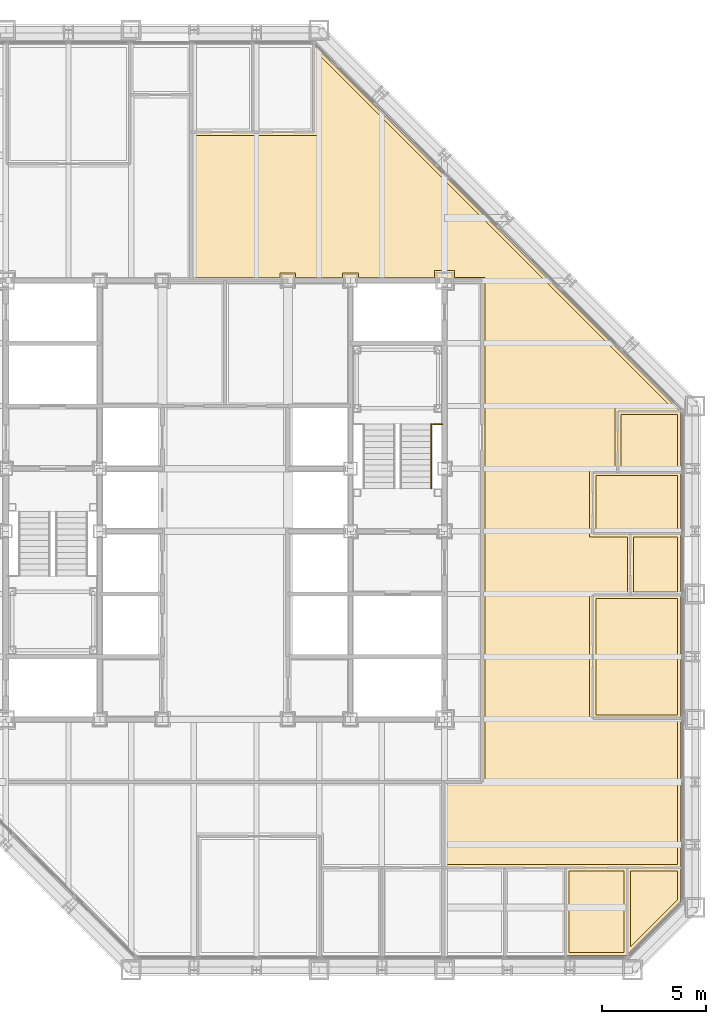
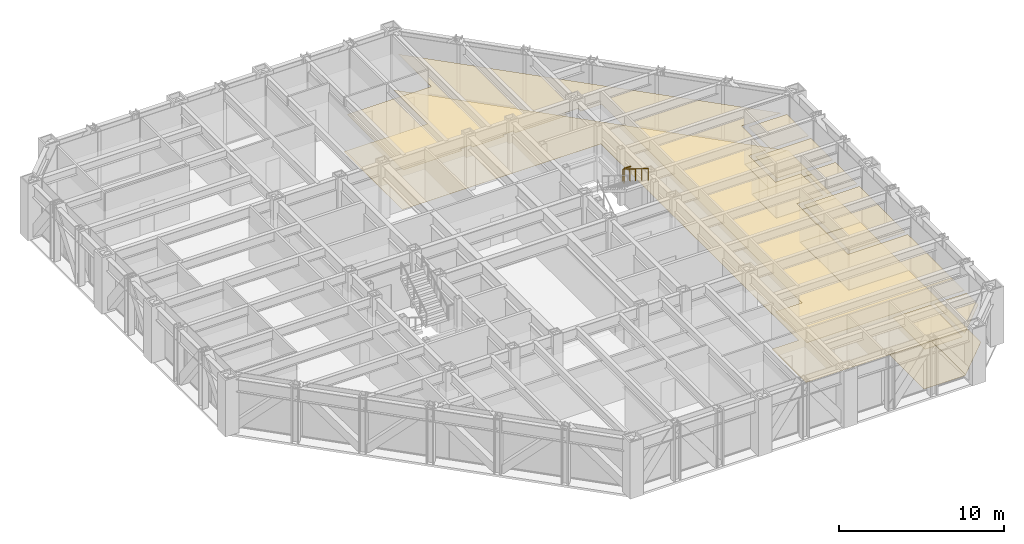
# One storey, part 15 of 16: 14 coverings, 2 railings.
"""IFC4 building model written with IfcOpenShell, lengths in metres."""

from ifc_helpers import new_model, si_unit, direction, frame, origin, origin_2d, place, context, subcontext, project, spatial, polyline, circle, outline, extrude, material, layer, layer_set, type_object, element, save


model = new_model("IFC4")

# Units and contexts
model_context = context("Model", 3, precision=1e-05, world=origin(), true_north=direction((0.0, 1.0)))
body_context = subcontext(model_context, "Body", "Model", "MODEL_VIEW")
ifc_project = project(units=[si_unit("LENGTHUNIT", "METRE"), si_unit("AREAUNIT", "SQUARE_METRE"), si_unit("VOLUMEUNIT", "CUBIC_METRE"), si_unit("PLANEANGLEUNIT", "RADIAN"), si_unit("MASSUNIT", "GRAM", prefix="KILO")], contexts=[model_context])

# Site, building, storey
site_placement = place(None, origin())
site = spatial("IfcSite", under=ifc_project, at=site_placement, CompositionType="ELEMENT")
building_placement = place(site_placement, origin())
building = spatial("IfcBuilding", under=site, at=building_placement, Name="Chuquiago Exchange Tower", CompositionType="ELEMENT")
storey_placement = place(building_placement, frame((0.0, 0.0, 157.199951171875)))
storey = spatial("IfcBuildingStorey", under=building, at=storey_placement, Name="L34", CompositionType="ELEMENT", Elevation=157.199951171875)

# Coverings
ifc_material_1 = material(Name="Mineral fibre tile, 600 x 600, on pale metal grid", Category="mineral fibre")
ifc_layer_1 = layer(ifc_material_1, 0.02001953125)
ifc_layer_set_1 = layer_set([ifc_layer_1], Name="CL1 suspended tile ceiling 20")
covering_type_1 = type_object("IfcCoveringType", Name="CL1 suspended tile ceiling 20", PredefinedType="CEILING", material=ifc_layer_set_1)
covering_1_placement = place(storey_placement, frame((0.0, 0.0, 2.800048828125)))
element("IfcCovering", 1, at=covering_1_placement, inside=storey, type_object=covering_type_1, Name="Ceiling Office", PredefinedType="CEILING", context=body_context, shape_type="SweptSolid", body=[
    extrude(outline(polyline([(38.963623046875, 0.85009765625), (38.963623046875, 4.75), (41.6015625, 4.75), (41.6015625, 0.85009765625), (38.963623046875, 0.85009765625)])), origin(), (0.0, 0.0, 1.0), 0.02001953125),
])
covering_2_placement = place(storey_placement, frame((0.0, 0.0, 2.800048828125)))
element("IfcCovering", 2, at=covering_2_placement, inside=storey, type_object=covering_type_1, Name="Ceiling Meeting room", PredefinedType="CEILING", context=body_context, shape_type="SweptSolid", body=[
    extrude(outline(polyline([(41.901611328125, 1.103515625), (41.901611328125, 4.75), (44.14990234375, 4.75), (44.14990234375, 3.35205078125), (41.901611328125, 1.103515625)])), origin(), (0.0, 0.0, 1.0), 0.02001953125),
])
covering_3_placement = place(storey_placement, frame((0.0, 0.0, 2.800048828125)))
element("IfcCovering", 3, at=covering_3_placement, inside=storey, type_object=covering_type_1, Name="Ceiling Meeting room", PredefinedType="CEILING", context=body_context, shape_type="SweptSolid", body=[
    extrude(outline(polyline([(40.25, 12.212158203125), (40.25, 17.787841796875), (44.14990234375, 17.787841796875), (44.14990234375, 12.212158203125), (40.25, 12.212158203125)])), origin(), (0.0, 0.0, 1.0), 0.02001953125),
])
covering_4_placement = place(storey_placement, frame((0.0, 0.0, 2.800048828125)))
element("IfcCovering", 4, at=covering_4_placement, inside=storey, type_object=covering_type_1, Name="Ceiling Focus room", PredefinedType="CEILING", context=body_context, shape_type="SweptSolid", body=[
    extrude(outline(polyline([(42.050048828125, 18.087890625), (42.050048828125, 20.7255859375), (44.14990234375, 20.7255859375), (44.14990234375, 18.087890625), (42.050048828125, 18.087890625)])), origin(), (0.0, 0.0, 1.0), 0.02001953125),
])
covering_5_placement = place(storey_placement, frame((0.0, 0.0, 2.800048828125)))
element("IfcCovering", 5, at=covering_5_placement, inside=storey, type_object=covering_type_1, Name="Ceiling Office", PredefinedType="CEILING", context=body_context, shape_type="SweptSolid", body=[
    extrude(outline(polyline([(40.25, 21.025634765625), (40.25, 23.66357421875), (44.14990234375, 23.66357421875), (44.14990234375, 21.025634765625), (40.25, 21.025634765625)])), origin(), (0.0, 0.0, 1.0), 0.02001953125),
])
covering_6_placement = place(storey_placement, frame((0.0, 0.0, 2.800048828125)))
element("IfcCovering", 6, at=covering_6_placement, inside=storey, type_object=covering_type_1, Name="Ceiling Pantry", PredefinedType="CEILING", context=body_context, shape_type="SweptSolid", body=[
    extrude(outline(polyline([(44.14990234375, 23.963623046875), (41.449951171875, 23.963623046875), (41.449951171875, 26.6015625), (44.14990234375, 26.6015625), (44.14990234375, 23.963623046875)])), origin(), (0.0, 0.0, 1.0), 0.02001953125),
])
covering_7_placement = place(storey_placement, frame((0.0, 0.0, 2.800048828125)))
element("IfcCovering", 7, at=covering_7_placement, inside=storey, type_object=covering_type_1, Name="Ceiling Open office east suite", PredefinedType="CEILING", context=body_context, shape_type="SweptSolid", body=[
    extrude(outline(polyline([(26.901611328125, 39.949951171875), (26.901611328125, 43.896484375), (43.896484375, 26.901611328125), (41.14990234375, 26.901611328125), (41.14990234375, 23.963623046875), (39.949951171875, 23.963623046875), (39.949951171875, 20.7255859375), (41.75, 20.7255859375), (41.75, 18.087890625), (39.949951171875, 18.087890625), (39.949951171875, 11.912109375), (44.14990234375, 11.912109375), (44.14990234375, 5.050048828125), (33.08837890625, 5.050048828125), (33.08837890625, 8.849609375), (34.950439453125, 8.85009765625), (34.950439453125, 33.150146484375), (33.47509765625, 33.150146484375), (33.47509765625, 33.47509765625), (32.52490234375, 33.47509765625), (32.52490234375, 33.150146484375), (28.875, 33.150146484375), (28.875, 33.375), (28.125, 33.375), (28.125, 33.150146484375), (25.875, 33.14990234375), (25.875, 33.375), (25.125, 33.375), (25.125, 33.14990234375), (21.026123046875, 33.14990234375), (21.026123046875, 39.949951171875), (26.901611328125, 39.949951171875)])), origin(), (0.0, 0.0, 1.0), 0.02001953125),
])
ifc_material_2 = material(Name="Carpet tile, 500 x 500, on the floor slab", Category="textile")
ifc_layer_2 = layer(ifc_material_2, 0.010009765625)
ifc_layer_set_2 = layer_set([ifc_layer_2], Name="FL1 carpet tile 10")
covering_type_2 = type_object("IfcCoveringType", Name="FL1 carpet tile 10", PredefinedType="FLOORING", material=ifc_layer_set_2)
covering_8_placement = place(storey_placement, origin())
element("IfcCovering", 8, at=covering_8_placement, inside=storey, type_object=covering_type_2, Name="Floor finish Office", PredefinedType="FLOORING", context=body_context, shape_type="SweptSolid", body=[
    extrude(outline(polyline([(41.710205078125, 0.699951171875), (38.813720703125, 0.699951171875), (38.813720703125, 4.89990234375), (41.75146484375, 4.89990234375), (41.75146484375, 0.741455078125), (41.710205078125, 0.699951171875)])), origin(), (0.0, 0.0, 1.0), 0.010009765625),
])
covering_9_placement = place(storey_placement, origin())
element("IfcCovering", 9, at=covering_9_placement, inside=storey, type_object=covering_type_2, Name="Floor finish Meeting room", PredefinedType="FLOORING", context=body_context, shape_type="SweptSolid", body=[
    extrude(outline(polyline([(44.300048828125, 3.289794921875), (41.75146484375, 0.741455078125), (41.75146484375, 4.89990234375), (44.300048828125, 4.89990234375), (44.300048828125, 3.289794921875)])), origin(), (0.0, 0.0, 1.0), 0.010009765625),
])
covering_10_placement = place(storey_placement, origin())
element("IfcCovering", 10, at=covering_10_placement, inside=storey, type_object=covering_type_2, Name="Floor finish Meeting room", PredefinedType="FLOORING", context=body_context, shape_type="SweptSolid", body=[
    extrude(outline(polyline([(44.300048828125, 12.06201171875), (40.10009765625, 12.06201171875), (40.10009765625, 17.93798828125), (44.300048828125, 17.93798828125), (44.300048828125, 12.06201171875)])), origin(), (0.0, 0.0, 1.0), 0.010009765625),
])
covering_11_placement = place(storey_placement, origin())
element("IfcCovering", 11, at=covering_11_placement, inside=storey, type_object=covering_type_2, Name="Floor finish Focus room", PredefinedType="FLOORING", context=body_context, shape_type="SweptSolid", body=[
    extrude(outline(polyline([(44.300048828125, 17.93798828125), (41.89990234375, 17.93798828125), (41.89990234375, 20.875732421875), (44.300048828125, 20.875732421875), (44.300048828125, 17.93798828125)])), origin(), (0.0, 0.0, 1.0), 0.010009765625),
])
covering_12_placement = place(storey_placement, origin())
element("IfcCovering", 12, at=covering_12_placement, inside=storey, type_object=covering_type_2, Name="Floor finish Office", PredefinedType="FLOORING", context=body_context, shape_type="SweptSolid", body=[
    extrude(outline(polyline([(44.300048828125, 20.875732421875), (40.10009765625, 20.875732421875), (40.10009765625, 23.813720703125), (44.300048828125, 23.813720703125), (44.300048828125, 20.875732421875)])), origin(), (0.0, 0.0, 1.0), 0.010009765625),
])
covering_13_placement = place(storey_placement, origin())
element("IfcCovering", 13, at=covering_13_placement, inside=storey, type_object=covering_type_2, Name="Floor finish Open office east suite", PredefinedType="FLOORING", context=body_context, shape_type="SweptSolid", body=[
    extrude(outline(polyline([(20.876220703125, 40.10009765625), (26.75146484375, 40.10009765625), (26.75146484375, 44.258544921875), (44.258544921875, 26.75146484375), (41.300048828125, 26.75146484375), (41.300048828125, 23.813720703125), (40.10009765625, 23.813720703125), (40.10009765625, 20.875732421875), (41.89990234375, 20.875732421875), (41.89990234375, 17.93798828125), (40.10009765625, 17.93798828125), (40.10009765625, 12.06201171875), (44.300048828125, 12.06201171875), (44.300048828125, 4.89990234375), (32.9384765625, 4.89990234375), (32.9384765625, 8.99951171875), (34.800537109375, 9.0), (34.800537109375, 33.0), (20.876220703125, 33.0), (20.876220703125, 40.10009765625)])), origin(), (0.0, 0.0, 1.0), 0.010009765625),
])
ifc_material_3 = material(Name="Porcelain floor tile, 600 x 600, on adhesive bed", Category="ceramic")
ifc_layer_3 = layer(ifc_material_3, 0.014892578125)
ifc_layer_set_3 = layer_set([ifc_layer_3], Name="FL2 porcelain tile 15")
covering_type_3 = type_object("IfcCoveringType", Name="FL2 porcelain tile 15", PredefinedType="FLOORING", material=ifc_layer_set_3)
covering_14_placement = place(storey_placement, origin())
element("IfcCovering", 14, at=covering_14_placement, inside=storey, type_object=covering_type_3, Name="Floor finish Pantry", PredefinedType="FLOORING", context=body_context, shape_type="SweptSolid", body=[
    extrude(outline(polyline([(44.300048828125, 26.710205078125), (44.300048828125, 23.813720703125), (41.300048828125, 23.813720703125), (41.300048828125, 26.75146484375), (44.258544921875, 26.75146484375), (44.300048828125, 26.710205078125)])), origin(), (0.0, 0.0, 1.0), 0.01513671875),
])

# Railings
ifc_material_4 = material(Name="Pale metal guard with safety glass infill", Category="glass")
railing_type_1 = type_object("IfcRailingType", Name="GR1 guard 1100", PredefinedType="GUARDRAIL", material=ifc_material_4)
railing_1_placement = place(storey_placement, frame((32.445068359375, 26.1298828125, 2.10009765625)))
element("IfcRailing", 15, at=railing_1_placement, inside=storey, type_object=railing_type_1, Name="Guard ST2 L34 landing 2", PredefinedType="GUARDRAIL", context=body_context, shape_type="SweptSolid", body=[
    extrude(circle(Radius=0.02392578125, at=origin_2d()), frame((0.0, 0.0, 1.076171875), z_axis=(1.0, 0.0, 0.0), x_axis=(0.0, 1.0, 0.0)), (0.0, 0.0, 1.0), 0.454833984375),
    extrude(circle(Radius=0.02099609375, at=origin_2d()), origin(), (0.0, 0.0, 1.0), 1.052001953125),
    extrude(circle(Radius=0.02099609375, at=origin_2d()), frame((0.454833984375, 0.0, 0.0)), (0.0, 0.0, 1.0), 1.052001953125),
])
ifc_material_5 = material(Name="Pale metal handrail", Category="steel")
railing_type_2 = type_object("IfcRailingType", Name="HR1 handrail 900", PredefinedType="HANDRAIL", material=ifc_material_5)
railing_2_placement = place(storey_placement, frame((32.364990234375, 26.1298828125, 2.275146484375)))
element("IfcRailing", 16, at=railing_2_placement, inside=storey, type_object=railing_type_2, Name="Handrail ST2 L34 flight 2", PredefinedType="HANDRAIL", context=body_context, shape_type="SweptSolid", body=[
    extrude(circle(Radius=0.02392578125, at=origin_2d()), frame((0.0, 0.0, 0.8759765625), z_axis=(0.0, -0.848009633417, 0.529980812513), x_axis=(1.0, 0.0, 0.0)), (0.0, 0.0, 1.0), 3.6318359375),
    extrude(circle(Radius=0.02099609375, at=origin_2d()), origin(), (0.0, 0.0, 1.0), 0.851806640625),
    extrude(circle(Radius=0.02099609375, at=origin_2d()), frame((0.0, -0.77001953125, 0.481201171875)), (0.0, 0.0, 1.0), 0.851806640625),
    extrude(circle(Radius=0.02099609375, at=origin_2d()), frame((0.0, -1.5400390625, 0.96240234375)), (0.0, 0.0, 1.0), 0.851806640625),
    extrude(circle(Radius=0.02099609375, at=origin_2d()), frame((0.0, -2.309814453125, 1.443603515625)), (0.0, 0.0, 1.0), 0.851806640625),
    extrude(circle(Radius=0.02099609375, at=origin_2d()), frame((0.0, -3.079833984375, 1.9248046875)), (0.0, 0.0, 1.0), 0.851806640625),
])

save(model, "model.ifc")
